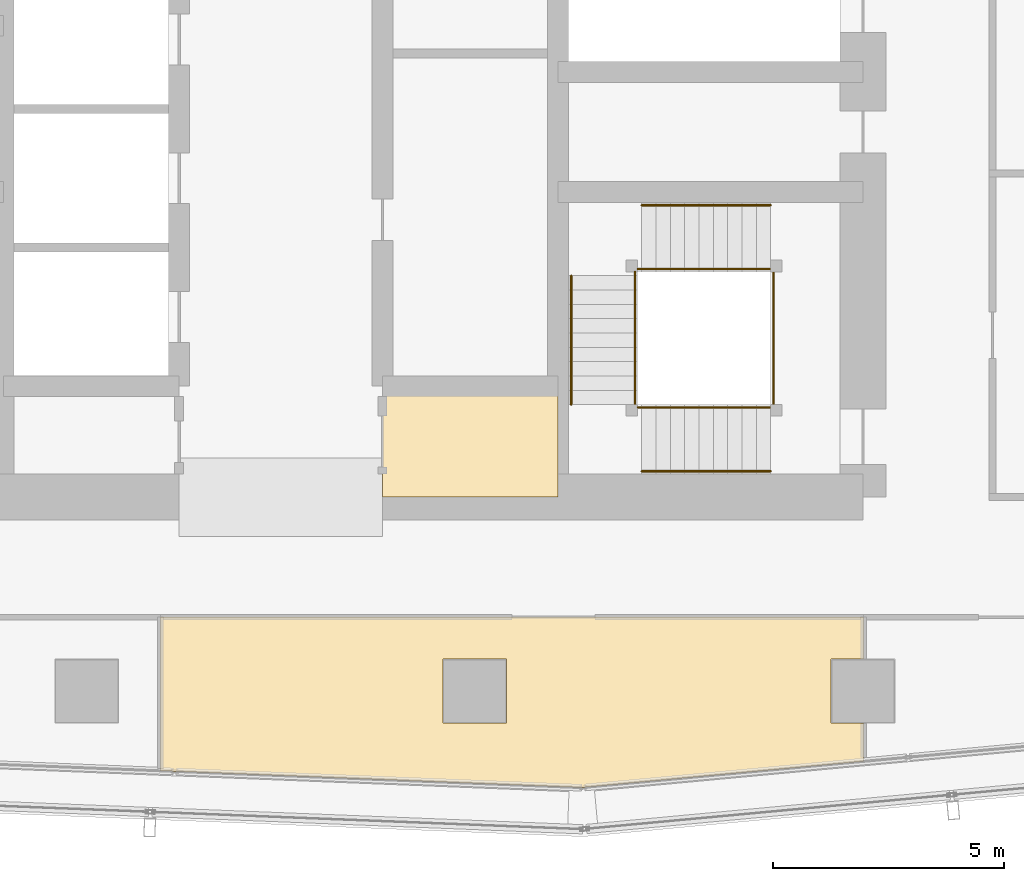
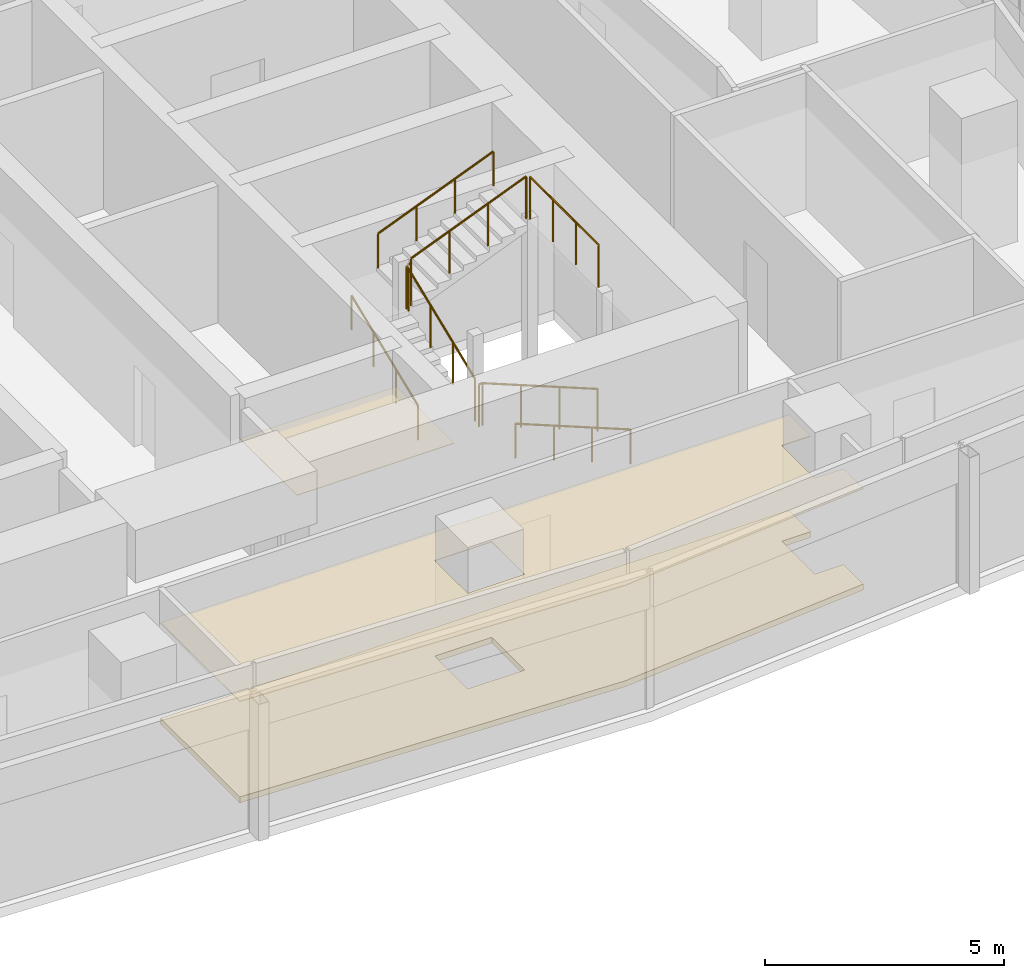
# One storey, part 34 of 39: 10 railings, 3 coverings.
"""IFC4 building model written with IfcOpenShell, lengths in metres."""

from ifc_helpers import new_model, si_unit, direction, frame, origin, origin_2d, place, context, subcontext, project, spatial, polyline, circle, outline, extrude, material, layer, layer_set, type_object, element, save


model = new_model("IFC4")

# Units and contexts
model_context = context("Model", 3, precision=1e-05, world=origin(), true_north=direction((0.0, 1.0)))
body_context = subcontext(model_context, "Body", "Model", "MODEL_VIEW")
ifc_project = project(units=[si_unit("LENGTHUNIT", "METRE"), si_unit("AREAUNIT", "SQUARE_METRE"), si_unit("VOLUMEUNIT", "CUBIC_METRE"), si_unit("PLANEANGLEUNIT", "RADIAN"), si_unit("MASSUNIT", "GRAM", prefix="KILO")], contexts=[model_context])

# Site, building, storey
site_placement = place(None, origin())
site = spatial("IfcSite", under=ifc_project, at=site_placement, CompositionType="ELEMENT")
building_placement = place(site_placement, origin())
building = spatial("IfcBuilding", under=site, at=building_placement, Name="Rekha Terrace Tower", CompositionType="ELEMENT")
storey_placement = place(building_placement, frame((0.0, 0.0, 221.449951171875)))
storey = spatial("IfcBuildingStorey", under=building, at=storey_placement, Name="L56", CompositionType="ELEMENT", Elevation=221.449951171875)

# Coverings
ifc_material_1 = material(Name="Mineral fibre tile in exposed grid", Category="finish")
ifc_layer_1 = layer(ifc_material_1, 0.02001953125)
ifc_layer_set_1 = layer_set([ifc_layer_1], Name="Mineral fibre tile in exposed grid")
covering_type_1 = type_object("IfcCoveringType", Name="CL1 600x1200 office grid ceiling", PredefinedType="CEILING", material=ifc_layer_set_1)
covering_1_placement = place(storey_placement, frame((0.0, 0.0, 2.580078125)))
element("IfcCovering", 1, at=covering_1_placement, inside=storey, type_object=covering_type_1, Name="Ceiling L56-02", PredefinedType="CEILING", context=body_context, shape_type="SweptSolid", body=[
    extrude(outline(polyline([(35.198974609375, 15.075927734375), (44.343994140625, 14.7109375), (44.343994140625, 14.715087890625), (50.408935546875, 15.280029296875), (50.408935546875, 16.110107421875), (49.7099609375, 16.110107421875), (49.7099609375, 17.489990234375), (50.408935546875, 17.489990234375), (50.408935546875, 18.39990234375), (35.198974609375, 18.39990234375), (35.198974609375, 15.075927734375)]), holes=[polyline([(42.68994140625, 17.489990234375), (42.68994140625, 16.110107421875), (41.31005859375, 16.110107421875), (41.31005859375, 17.489990234375), (42.68994140625, 17.489990234375)])]), origin(), (0.0, 0.0, 1.0), 0.02001953125),
])
ifc_material_2 = material(Name="Fibre cement board", Category="finish")
ifc_layer_2 = layer(ifc_material_2, 0.014892578125)
ifc_layer_set_2 = layer_set([ifc_layer_2], Name="Fibre cement board")
covering_type_2 = type_object("IfcCoveringType", Name="CL2 moisture-resistant board ceiling", PredefinedType="CEILING", material=ifc_layer_set_2)
covering_2_placement = place(storey_placement, frame((0.0, 0.0, 2.5849609375)))
element("IfcCovering", 2, at=covering_2_placement, inside=storey, type_object=covering_type_2, Name="Ceiling L56-WCA", PredefinedType="CEILING", context=body_context, shape_type="SweptSolid", body=[
    extrude(outline(polyline([(43.800048828125, 23.39990234375), (40.0, 23.39990234375), (40.0, 21.0), (43.800048828125, 21.0), (43.800048828125, 23.39990234375)])), origin(), (0.0, 0.0, 1.0), 0.01513671875),
])

# Railings
ifc_material_3 = material(Name="Stainless steel balustrade", Category="steel")
railing_type_1 = type_object("IfcRailingType", Name="GR1 1100 stair guard", PredefinedType="GUARDRAIL", material=ifc_material_3)
railing_1_placement = place(storey_placement, frame((48.39990234375, 22.93994140625, 0.125)))
element("IfcRailing", 3, at=railing_1_placement, inside=storey, type_object=railing_type_1, Name="Guard ST3 L56 flight 1", PredefinedType="GUARDRAIL", context=body_context, shape_type="SweptSolid", body=[
    extrude(circle(Radius=0.02392578125, at=origin_2d()), frame((0.0, 0.0, 1.076171875), z_axis=(-0.927431937212, 0.0, 0.373991980981), x_axis=(0.0, -1.0, 0.0)), (0.0, 0.0, 1.0), 3.008056640625),
    extrude(circle(Radius=0.02099609375, at=origin_2d()), origin(), (0.0, 0.0, 1.0), 1.052001953125),
    extrude(circle(Radius=0.02099609375, at=origin_2d()), frame((-0.929931640625, 0.0, 0.375)), (0.0, 0.0, 1.0), 1.052001953125),
    extrude(circle(Radius=0.02099609375, at=origin_2d()), frame((-1.85986328125, 0.0, 0.75)), (0.0, 0.0, 1.0), 1.052001953125),
    extrude(circle(Radius=0.02099609375, at=origin_2d()), frame((-2.789794921875, 0.0, 1.125)), (0.0, 0.0, 1.0), 1.052001953125),
])
railing_2_placement = place(storey_placement, frame((45.465087890625, 23.0, 1.375)))
element("IfcRailing", 4, at=railing_2_placement, inside=storey, type_object=railing_type_1, Name="Guard ST3 L56 flight 2", PredefinedType="GUARDRAIL", context=body_context, shape_type="SweptSolid", body=[
    extrude(circle(Radius=0.02392578125, at=origin_2d()), frame((0.0, 0.0, 1.076171875), z_axis=(0.0, 0.927443287984, 0.373963831907), x_axis=(-1.0, 0.0, 0.0)), (0.0, 0.0, 1.0), 3.00830078125),
    extrude(circle(Radius=0.02099609375, at=origin_2d()), origin(), (0.0, 0.0, 1.0), 1.052001953125),
    extrude(circle(Radius=0.02099609375, at=origin_2d()), frame((0.0, 0.929931640625, 0.375)), (0.0, 0.0, 1.0), 1.052001953125),
    extrude(circle(Radius=0.02099609375, at=origin_2d()), frame((0.0, 1.860107421875, 0.75)), (0.0, 0.0, 1.0), 1.052001953125),
    extrude(circle(Radius=0.02099609375, at=origin_2d()), frame((0.0, 2.7900390625, 1.125)), (0.0, 0.0, 1.0), 1.052001953125),
])
railing_3_placement = place(storey_placement, frame((45.610107421875, 25.93505859375, 2.625)))
element("IfcRailing", 5, at=railing_3_placement, inside=storey, type_object=railing_type_1, Name="Guard ST3 L56 flight 3", PredefinedType="GUARDRAIL", context=body_context, shape_type="SweptSolid", body=[
    extrude(circle(Radius=0.02392578125, at=origin_2d()), frame((0.0, 0.0, 1.076171875), z_axis=(0.927431937212, 0.0, 0.373991980981), x_axis=(0.0, 1.0, 0.0)), (0.0, 0.0, 1.0), 3.008056640625),
    extrude(circle(Radius=0.02099609375, at=origin_2d()), origin(), (0.0, 0.0, 1.0), 1.052001953125),
    extrude(circle(Radius=0.02099609375, at=origin_2d()), frame((0.929931640625, 0.0, 0.375)), (0.0, 0.0, 1.0), 1.052001953125),
    extrude(circle(Radius=0.02099609375, at=origin_2d()), frame((1.85986328125, 0.0, 0.75)), (0.0, 0.0, 1.0), 1.052001953125),
    extrude(circle(Radius=0.02099609375, at=origin_2d()), frame((2.789794921875, 0.0, 1.125)), (0.0, 0.0, 1.0), 1.052001953125),
])
railing_4_placement = place(storey_placement, frame((45.610107421875, 22.93994140625, 1.25)))
element("IfcRailing", 6, at=railing_4_placement, inside=storey, type_object=railing_type_1, Name="Guard ST3 L56 landing 1", PredefinedType="GUARDRAIL", context=body_context, shape_type="SweptSolid", body=[
    extrude(circle(Radius=0.02392578125, at=origin_2d()), frame((0.0, 0.0, 1.076171875), z_axis=(-1.0, 0.0, 0.0), x_axis=(0.0, -1.0, 0.0)), (0.0, 0.0, 1.0), 0.085205078125),
    extrude(circle(Radius=0.02099609375, at=origin_2d()), origin(), (0.0, 0.0, 1.0), 1.052001953125),
    extrude(circle(Radius=0.02099609375, at=origin_2d()), frame((-0.085205078125, 0.0, 0.0)), (0.0, 0.0, 1.0), 1.052001953125),
])
railing_5_placement = place(storey_placement, frame((45.465087890625, 25.7900390625, 2.5)))
element("IfcRailing", 7, at=railing_5_placement, inside=storey, type_object=railing_type_1, Name="Guard ST3 L56 landing 2", PredefinedType="GUARDRAIL", context=body_context, shape_type="SweptSolid", body=[
    extrude(circle(Radius=0.02392578125, at=origin_2d()), frame((0.0, 0.0, 1.076171875), z_axis=(0.0, 1.0, 0.0), x_axis=(-1.0, 0.0, 0.0)), (0.0, 0.0, 1.0), 0.0849609375),
    extrude(circle(Radius=0.02099609375, at=origin_2d()), origin(), (0.0, 0.0, 1.0), 1.052001953125),
    extrude(circle(Radius=0.02099609375, at=origin_2d()), frame((0.0, 0.0849609375, 0.0)), (0.0, 0.0, 1.0), 1.052001953125),
])
railing_6_placement = place(storey_placement, frame((45.610107421875, 25.93505859375, 2.5)))
element("IfcRailing", 8, at=railing_6_placement, inside=storey, type_object=railing_type_1, Name="Guard ST3 L56 landing 3", PredefinedType="GUARDRAIL", context=body_context, shape_type="SweptSolid", body=[
    extrude(circle(Radius=0.02392578125, at=origin_2d()), frame((0.0, 0.0, 1.076171875), z_axis=(-1.0, 0.0, 0.0), x_axis=(0.0, -1.0, 0.0)), (0.0, 0.0, 1.0), 0.085205078125),
    extrude(circle(Radius=0.02099609375, at=origin_2d()), origin(), (0.0, 0.0, 1.0), 1.052001953125),
    extrude(circle(Radius=0.02099609375, at=origin_2d()), frame((-0.085205078125, 0.0, 0.0)), (0.0, 0.0, 1.0), 1.052001953125),
])
railing_7_placement = place(storey_placement, frame((48.4599609375, 23.0, 3.75)))
element("IfcRailing", 9, at=railing_7_placement, inside=storey, type_object=railing_type_1, Name="Guard ST3 L56 landing 4", PredefinedType="GUARDRAIL", context=body_context, shape_type="SweptSolid", body=[
    extrude(circle(Radius=0.02392578125, at=origin_2d()), frame((0.0, 0.0, 1.076171875), z_axis=(0.0, 1.0, 0.0), x_axis=(-1.0, 0.0, 0.0)), (0.0, 0.0, 1.0), 2.875),
    extrude(circle(Radius=0.02099609375, at=origin_2d()), origin(), (0.0, 0.0, 1.0), 1.052001953125),
    extrude(circle(Radius=0.02099609375, at=origin_2d()), frame((0.0, 0.958251953125, 0.0)), (0.0, 0.0, 1.0), 1.052001953125),
    extrude(circle(Radius=0.02099609375, at=origin_2d()), frame((0.0, 1.916748046875, 0.0)), (0.0, 0.0, 1.0), 1.052001953125),
    extrude(circle(Radius=0.02099609375, at=origin_2d()), frame((0.0, 2.875, 0.0)), (0.0, 0.0, 1.0), 1.052001953125),
])
ifc_material_4 = material(Name="Stainless steel tube", Category="steel")
railing_type_2 = type_object("IfcRailingType", Name="HR1 900 stair handrail", PredefinedType="HANDRAIL", material=ifc_material_4)
railing_8_placement = place(storey_placement, frame((48.39990234375, 21.56005859375, 0.125)))
element("IfcRailing", 10, at=railing_8_placement, inside=storey, type_object=railing_type_2, Name="Handrail ST3 L56 flight 1", PredefinedType="HANDRAIL", context=body_context, shape_type="SweptSolid", body=[
    extrude(circle(Radius=0.02392578125, at=origin_2d()), frame((0.0, 0.0, 0.8759765625), z_axis=(-0.927431937212, 0.0, 0.373991980981), x_axis=(0.0, -1.0, 0.0)), (0.0, 0.0, 1.0), 3.008056640625),
    extrude(circle(Radius=0.02099609375, at=origin_2d()), origin(), (0.0, 0.0, 1.0), 0.851806640625),
    extrude(circle(Radius=0.02099609375, at=origin_2d()), frame((-0.929931640625, 0.0, 0.375)), (0.0, 0.0, 1.0), 0.851806640625),
    extrude(circle(Radius=0.02099609375, at=origin_2d()), frame((-1.85986328125, 0.0, 0.75)), (0.0, 0.0, 1.0), 0.851806640625),
    extrude(circle(Radius=0.02099609375, at=origin_2d()), frame((-2.789794921875, 0.0, 1.125)), (0.0, 0.0, 1.0), 0.851806640625),
])
railing_9_placement = place(storey_placement, frame((44.0849609375, 23.0, 1.375)))
element("IfcRailing", 11, at=railing_9_placement, inside=storey, type_object=railing_type_2, Name="Handrail ST3 L56 flight 2", PredefinedType="HANDRAIL", context=body_context, shape_type="SweptSolid", body=[
    extrude(circle(Radius=0.02392578125, at=origin_2d()), frame((0.0, 0.0, 0.8759765625), z_axis=(0.0, 0.927443287984, 0.373963831907), x_axis=(-1.0, 0.0, 0.0)), (0.0, 0.0, 1.0), 3.00830078125),
    extrude(circle(Radius=0.02099609375, at=origin_2d()), origin(), (0.0, 0.0, 1.0), 0.851806640625),
    extrude(circle(Radius=0.02099609375, at=origin_2d()), frame((0.0, 0.929931640625, 0.375)), (0.0, 0.0, 1.0), 0.851806640625),
    extrude(circle(Radius=0.02099609375, at=origin_2d()), frame((0.0, 1.860107421875, 0.75)), (0.0, 0.0, 1.0), 0.851806640625),
    extrude(circle(Radius=0.02099609375, at=origin_2d()), frame((0.0, 2.7900390625, 1.125)), (0.0, 0.0, 1.0), 0.851806640625),
])
railing_10_placement = place(storey_placement, frame((45.610107421875, 27.31494140625, 2.625)))
element("IfcRailing", 12, at=railing_10_placement, inside=storey, type_object=railing_type_2, Name="Handrail ST3 L56 flight 3", PredefinedType="HANDRAIL", context=body_context, shape_type="SweptSolid", body=[
    extrude(circle(Radius=0.02392578125, at=origin_2d()), frame((0.0, 0.0, 0.8759765625), z_axis=(0.927431937212, 0.0, 0.373991980981), x_axis=(0.0, 1.0, 0.0)), (0.0, 0.0, 1.0), 3.008056640625),
    extrude(circle(Radius=0.02099609375, at=origin_2d()), origin(), (0.0, 0.0, 1.0), 0.851806640625),
    extrude(circle(Radius=0.02099609375, at=origin_2d()), frame((0.929931640625, 0.0, 0.375)), (0.0, 0.0, 1.0), 0.851806640625),
    extrude(circle(Radius=0.02099609375, at=origin_2d()), frame((1.85986328125, 0.0, 0.75)), (0.0, 0.0, 1.0), 0.851806640625),
    extrude(circle(Radius=0.02099609375, at=origin_2d()), frame((2.789794921875, 0.0, 1.125)), (0.0, 0.0, 1.0), 0.851806640625),
])

# Covering
ifc_material_5 = material(Name="Calcium sulphate panels on steel pedestals", Category="steel")
ifc_layer_3 = layer(ifc_material_5, 0.14990234375)
ifc_layer_set_3 = layer_set([ifc_layer_3], Name="Calcium sulphate panels on steel pedestals")
covering_type_3 = type_object("IfcCoveringType", Name="RF1 150 raised access floor", PredefinedType="FLOORING", material=ifc_layer_set_3)
covering_3_placement = place(storey_placement, origin())
element("IfcCovering", 13, at=covering_3_placement, inside=storey, type_object=covering_type_3, Name="Raised floor L56-02", PredefinedType="FLOORING", context=body_context, shape_type="SweptSolid", body=[
    extrude(outline(polyline([(35.198974609375, 15.075927734375), (44.343994140625, 14.7109375), (44.343994140625, 14.715087890625), (50.408935546875, 15.280029296875), (50.408935546875, 16.110107421875), (49.7099609375, 16.110107421875), (49.7099609375, 17.489990234375), (50.408935546875, 17.489990234375), (50.408935546875, 18.39990234375), (35.198974609375, 18.39990234375), (35.198974609375, 15.075927734375)]), holes=[polyline([(42.68994140625, 17.489990234375), (42.68994140625, 16.110107421875), (41.31005859375, 16.110107421875), (41.31005859375, 17.489990234375), (42.68994140625, 17.489990234375)])]), origin(), (0.0, 0.0, 1.0), 0.150146484375),
])

save(model, "model.ifc")
